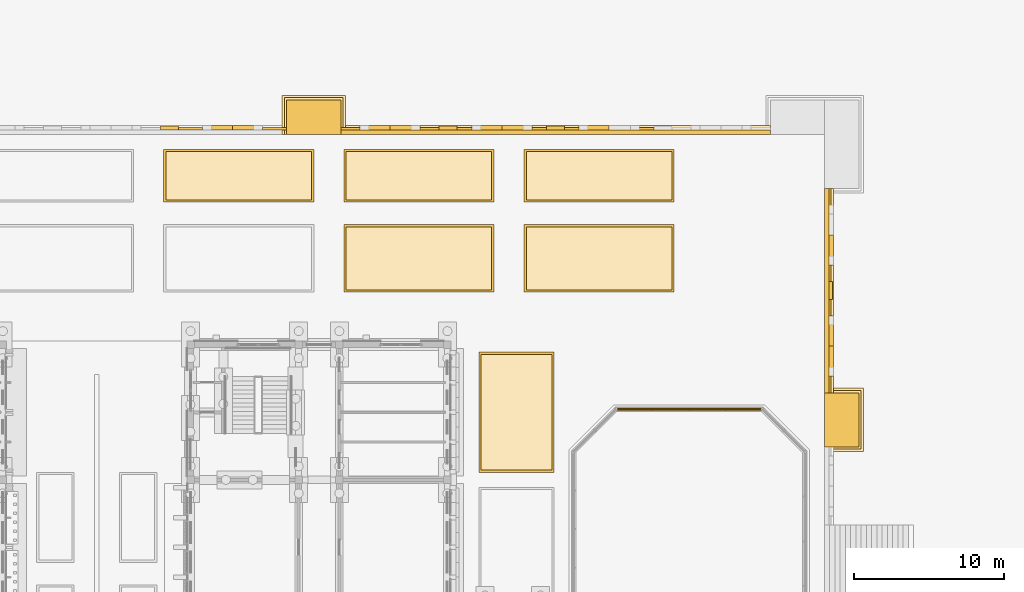
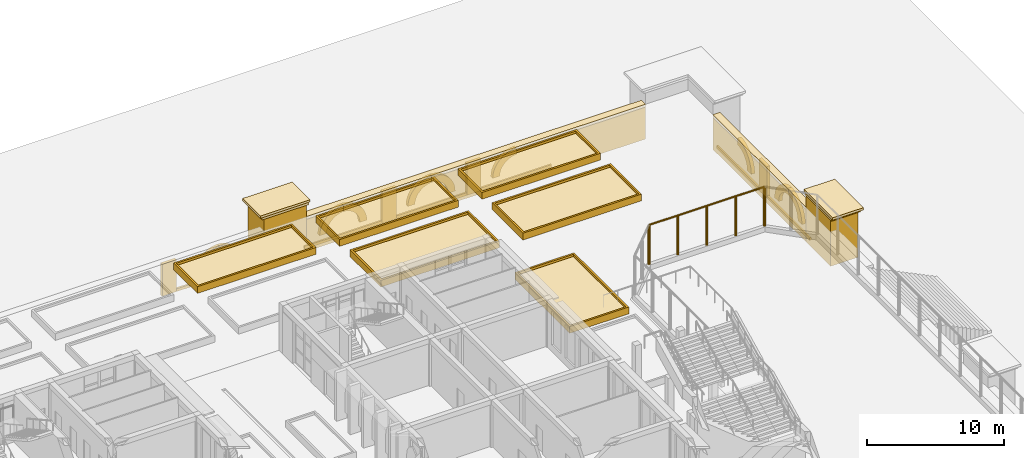
# One storey, part 146 of 161: 42 coverings, 1 railing.
"""IFC4 building model written with IfcOpenShell, lengths in metres."""

from ifc_helpers import new_model, si_unit, direction, frame, origin, origin_2d, place, context, subcontext, project, spatial, polyline, circle, outline, extrude, material, layer, layer_set, type_object, element, save


model = new_model("IFC4")

# Units and contexts
model_context = context("Model", 3, precision=1e-05, world=origin(), true_north=direction((0.0, 1.0)))
body_context = subcontext(model_context, "Body", "Model", "MODEL_VIEW")
ifc_project = project(units=[si_unit("LENGTHUNIT", "METRE"), si_unit("AREAUNIT", "SQUARE_METRE"), si_unit("VOLUMEUNIT", "CUBIC_METRE"), si_unit("PLANEANGLEUNIT", "RADIAN"), si_unit("MASSUNIT", "GRAM", prefix="KILO")], contexts=[model_context])

# Site, building, storey
site_placement = place(None, origin())
site = spatial("IfcSite", under=ifc_project, at=site_placement, CompositionType="ELEMENT")
building_placement = place(site_placement, origin())
building = spatial("IfcBuilding", under=site, at=building_placement, Name="Elbe Cascade School", CompositionType="ELEMENT")
storey_placement = place(building_placement, origin())
storey = spatial("IfcBuildingStorey", under=building, at=storey_placement, Name="L00", CompositionType="ELEMENT", Elevation=0.0)

# Railing
ifc_material_1 = material(Name="Steel S355J2H", Category="steel")
railing_type = type_object("IfcRailingType", Name="Ball-stop fence 4000", PredefinedType="USERDEFINED", material=ifc_material_1)
railing_placement = place(storey_placement, frame((195.875732421875, 55.699951171875, 0.449951171875)))
element("IfcRailing", 1, at=railing_placement, inside=storey, type_object=railing_type, Name="Ball-stop fence north", ObjectType="BALL-STOP FENCE", PredefinedType="USERDEFINED", context=body_context, shape_type="SweptSolid", body=[
    extrude(circle(Radius=0.06982421875, at=origin_2d()), frame((0.0, 0.0, 3.47998046875), z_axis=(-1.0, 0.0, 0.0), x_axis=(0.0, -1.0, 0.0)), (0.0, 0.0, 1.0), 9.75146484375),
    extrude(circle(Radius=0.10009765625, at=origin_2d()), origin(), (0.0, 0.0, 1.0), 3.41015625),
    extrude(circle(Radius=0.10009765625, at=origin_2d()), frame((-2.43798828125, 0.0, 0.0)), (0.0, 0.0, 1.0), 3.41015625),
    extrude(circle(Radius=0.10009765625, at=origin_2d()), frame((-4.875732421875, 0.0, 0.0)), (0.0, 0.0, 1.0), 3.41015625),
    extrude(circle(Radius=0.10009765625, at=origin_2d()), frame((-7.3134765625, 0.0, 0.0)), (0.0, 0.0, 1.0), 3.41015625),
    extrude(circle(Radius=0.10009765625, at=origin_2d()), frame((-9.75146484375, 0.0, 0.0)), (0.0, 0.0, 1.0), 3.41015625),
])

# Coverings
ifc_material_2 = material(Name="Sandstone - red", Category="masonry")
ifc_layer_1 = layer(ifc_material_2, 0.199951171875)
ifc_layer_set_1 = layer_set([ifc_layer_1], Name="Sandstone - red")
covering_type_1 = type_object("IfcCoveringType", Name="Bastion coping course 200", PredefinedType="CLADDING", material=ifc_layer_set_1)
covering_1_placement = place(storey_placement, frame((0.0, 0.0, 1.0)))
element("IfcCovering", 2, at=covering_1_placement, inside=storey, type_object=covering_type_1, Name="Bastion coping course 1 E2", PredefinedType="CLADDING", context=body_context, shape_type="SweptSolid", body=[
    extrude(outline(polyline([(202.449951171875, 53.050048828125), (202.449951171875, 56.949951171875), (200.0, 56.949951171875), (200.0, 53.050048828125), (202.449951171875, 53.050048828125)])), origin(), (0.0, 0.0, 1.0), 0.199951171875),
])
covering_2_placement = place(storey_placement, frame((0.0, 0.0, 1.199951171875)))
element("IfcCovering", 3, at=covering_2_placement, inside=storey, type_object=covering_type_1, Name="Bastion coping course 2 E2", PredefinedType="CLADDING", context=body_context, shape_type="SweptSolid", body=[
    extrude(outline(polyline([(202.60009765625, 52.89990234375), (202.60009765625, 57.10009765625), (200.0, 57.10009765625), (200.0, 52.89990234375), (202.60009765625, 52.89990234375)])), origin(), (0.0, 0.0, 1.0), 0.199951171875),
])
covering_3_placement = place(storey_placement, frame((0.0, 0.0, 1.0)))
element("IfcCovering", 4, at=covering_3_placement, inside=storey, type_object=covering_type_1, Name="Bastion coping course 1 N3", PredefinedType="CLADDING", context=body_context, shape_type="SweptSolid", body=[
    extrude(outline(polyline([(164.050048828125, 74.0), (167.949951171875, 74.0), (167.949951171875, 76.449951171875), (164.050048828125, 76.449951171875), (164.050048828125, 74.0)])), origin(), (0.0, 0.0, 1.0), 0.199951171875),
])
covering_4_placement = place(storey_placement, frame((0.0, 0.0, 1.199951171875)))
element("IfcCovering", 5, at=covering_4_placement, inside=storey, type_object=covering_type_1, Name="Bastion coping course 2 N3", PredefinedType="CLADDING", context=body_context, shape_type="SweptSolid", body=[
    extrude(outline(polyline([(163.89990234375, 74.0), (168.10009765625, 74.0), (168.10009765625, 76.60009765625), (163.89990234375, 76.60009765625), (163.89990234375, 74.0)])), origin(), (0.0, 0.0, 1.0), 0.199951171875),
])
ifc_material_3 = material(Name="Sandstone - red", Category="masonry")
ifc_layer_2 = layer(ifc_material_3, 0.14990234375)
ifc_layer_set_2 = layer_set([ifc_layer_2], Name="Sandstone - red")
covering_type_2 = type_object("IfcCoveringType", Name="Plinth base course 150x250", PredefinedType="CLADDING", material=ifc_layer_set_2)
covering_5_placement = place(storey_placement, frame((0.0, 0.0, -3.10009765625)))
element("IfcCovering", 6, at=covering_5_placement, inside=storey, type_object=covering_type_2, Name="Plinth base course east 0.5.1", PredefinedType="CLADDING", context=body_context, shape_type="SweptSolid", body=[
    extrude(outline(polyline([(200.300048828125, 56.800048828125), (200.449951171875, 56.800048828125), (200.449951171875, 63.0), (200.300048828125, 63.0), (200.300048828125, 56.800048828125)])), origin(), (0.0, 0.0, 1.0), 0.25),
])
covering_6_placement = place(storey_placement, frame((0.0, 0.0, -3.10009765625)))
element("IfcCovering", 7, at=covering_6_placement, inside=storey, type_object=covering_type_2, Name="Plinth base course east 0.5.2", PredefinedType="CLADDING", context=body_context, shape_type="SweptSolid", body=[
    extrude(outline(polyline([(200.300048828125, 64.199951171875), (200.449951171875, 64.199951171875), (200.449951171875, 70.39990234375), (200.300048828125, 70.39990234375), (200.300048828125, 64.199951171875)])), origin(), (0.0, 0.0, 1.0), 0.25),
])
covering_7_placement = place(storey_placement, frame((0.0, 0.0, -3.10009765625)))
element("IfcCovering", 8, at=covering_7_placement, inside=storey, type_object=covering_type_2, Name="Plinth base course north 0.3.8", PredefinedType="CLADDING", context=body_context, shape_type="SweptSolid", body=[
    extrude(outline(polyline([(157.0, 74.300048828125), (164.199951171875, 74.300048828125), (164.199951171875, 74.449951171875), (157.0, 74.449951171875), (157.0, 74.300048828125)])), origin(), (0.0, 0.0, 1.0), 0.25),
])
covering_8_placement = place(storey_placement, frame((0.0, 0.0, -3.10009765625)))
element("IfcCovering", 9, at=covering_8_placement, inside=storey, type_object=covering_type_2, Name="Plinth base course north 0.4.1", PredefinedType="CLADDING", context=body_context, shape_type="SweptSolid", body=[
    extrude(outline(polyline([(167.800048828125, 74.300048828125), (174.35009765625, 74.300048828125), (174.35009765625, 74.449951171875), (167.800048828125, 74.449951171875), (167.800048828125, 74.300048828125)])), origin(), (0.0, 0.0, 1.0), 0.25),
])
covering_9_placement = place(storey_placement, frame((0.0, 0.0, -3.10009765625)))
element("IfcCovering", 10, at=covering_9_placement, inside=storey, type_object=covering_type_2, Name="Plinth base course north 0.4.2", PredefinedType="CLADDING", context=body_context, shape_type="SweptSolid", body=[
    extrude(outline(polyline([(175.550048828125, 74.300048828125), (181.5, 74.300048828125), (181.5, 74.449951171875), (175.550048828125, 74.449951171875), (175.550048828125, 74.300048828125)])), origin(), (0.0, 0.0, 1.0), 0.25),
])
covering_10_placement = place(storey_placement, frame((0.0, 0.0, -3.10009765625)))
element("IfcCovering", 11, at=covering_10_placement, inside=storey, type_object=covering_type_2, Name="Plinth base course north 0.4.3", PredefinedType="CLADDING", context=body_context, shape_type="SweptSolid", body=[
    extrude(outline(polyline([(182.699951171875, 74.300048828125), (188.64990234375, 74.300048828125), (188.64990234375, 74.449951171875), (182.699951171875, 74.449951171875), (182.699951171875, 74.300048828125)])), origin(), (0.0, 0.0, 1.0), 0.25),
])
ifc_material_4 = material(Name="Sandstone - red", Category="masonry")
ifc_layer_3 = layer(ifc_material_4, 2.300048828125)
ifc_layer_set_3 = layer_set([ifc_layer_3], Name="Sandstone - red")
covering_type_3 = type_object("IfcCoveringType", Name="Plinth bastion 3600x2300", PredefinedType="CLADDING", material=ifc_layer_set_3)
covering_11_placement = place(storey_placement, frame((0.0, 0.0, -3.10009765625)))
element("IfcCovering", 12, at=covering_11_placement, inside=storey, type_object=covering_type_3, Name="Plinth bastion E2 1", PredefinedType="CLADDING", context=body_context, shape_type="SweptSolid", body=[
    extrude(outline(polyline([(200.0, 53.199951171875), (202.300048828125, 53.199951171875), (202.300048828125, 56.800048828125), (200.0, 56.800048828125), (200.0, 53.199951171875)])), origin(), (0.0, 0.0, 1.0), 4.10009765625),
])
covering_12_placement = place(storey_placement, frame((0.0, 0.0, -3.10009765625)))
element("IfcCovering", 13, at=covering_12_placement, inside=storey, type_object=covering_type_3, Name="Plinth bastion N3 1", PredefinedType="CLADDING", context=body_context, shape_type="SweptSolid", body=[
    extrude(outline(polyline([(164.199951171875, 74.0), (167.800048828125, 74.0), (167.800048828125, 76.300048828125), (164.199951171875, 76.300048828125), (164.199951171875, 74.0)])), origin(), (0.0, 0.0, 1.0), 4.10009765625),
])
ifc_material_5 = material(Name="Sandstone - red", Category="masonry")
ifc_layer_4 = layer(ifc_material_5, 0.25)
ifc_layer_set_4 = layer_set([ifc_layer_4], Name="Sandstone - red")
covering_type_4 = type_object("IfcCoveringType", Name="Plinth coping 600x250", PredefinedType="CLADDING", material=ifc_layer_set_4)
covering_13_placement = place(storey_placement, frame((0.0, 0.0, -0.25)))
element("IfcCovering", 14, at=covering_13_placement, inside=storey, type_object=covering_type_4, Name="Plinth coping east 5", PredefinedType="CLADDING", context=body_context, shape_type="SweptSolid", body=[
    extrude(outline(polyline([(200.0, 56.800048828125), (200.60009765625, 56.800048828125), (200.60009765625, 70.39990234375), (200.0, 70.39990234375), (200.0, 56.800048828125)])), origin(), (0.0, 0.0, 1.0), 0.25),
])
covering_14_placement = place(storey_placement, frame((0.0, 0.0, -0.25)))
element("IfcCovering", 15, at=covering_14_placement, inside=storey, type_object=covering_type_4, Name="Plinth coping north 4", PredefinedType="CLADDING", context=body_context, shape_type="SweptSolid", body=[
    extrude(outline(polyline([(167.800048828125, 74.0), (196.39990234375, 74.0), (196.39990234375, 74.60009765625), (167.800048828125, 74.60009765625), (167.800048828125, 74.0)])), origin(), (0.0, 0.0, 1.0), 0.25),
])
ifc_material_6 = material(Name="Sandstone - red", Category="masonry")
ifc_layer_5 = layer(ifc_material_6, 0.300048828125)
ifc_layer_set_5 = layer_set([ifc_layer_5], Name="Sandstone - red")
covering_type_5 = type_object("IfcCoveringType", Name="Plinth facing 300", PredefinedType="CLADDING", material=ifc_layer_set_5)
covering_15_placement = place(storey_placement, frame((0.0, 0.0, -3.10009765625)))
element("IfcCovering", 16, at=covering_15_placement, inside=storey, type_object=covering_type_5, Name="Plinth facing east 5", PredefinedType="CLADDING", context=body_context, shape_type="SweptSolid", body=[
    extrude(outline(polyline([(200.0, 56.800048828125), (200.300048828125, 56.800048828125), (200.300048828125, 70.39990234375), (200.0, 70.39990234375), (200.0, 56.800048828125)])), origin(), (0.0, 0.0, 1.0), 2.85009765625),
])
covering_16_placement = place(storey_placement, frame((0.0, 0.0, -3.10009765625)))
element("IfcCovering", 17, at=covering_16_placement, inside=storey, type_object=covering_type_5, Name="Plinth facing north 4", PredefinedType="CLADDING", context=body_context, shape_type="SweptSolid", body=[
    extrude(outline(polyline([(167.800048828125, 74.0), (196.39990234375, 74.0), (196.39990234375, 74.300048828125), (167.800048828125, 74.300048828125), (167.800048828125, 74.0)])), origin(), (0.0, 0.0, 1.0), 2.85009765625),
])
ifc_material_7 = material(Name="Sandstone - red", Category="masonry")
ifc_layer_6 = layer(ifc_material_7, 0.300048828125)
ifc_layer_set_6 = layer_set([ifc_layer_6], Name="Sandstone - red")
covering_type_6 = type_object("IfcCoveringType", Name="Plinth niche arch band 600x300", PredefinedType="CLADDING", material=ifc_layer_set_6)
covering_17_placement = place(storey_placement, frame((200.60009765625, 57.89990234375, -2.35009765625), z_axis=(1.0, 0.0, 0.0), x_axis=(0.0, 1.0, 0.0)))
element("IfcCovering", 18, at=covering_17_placement, inside=storey, type_object=covering_type_6, Name="Plinth niche arch band east 0.5.1a", PredefinedType="CLADDING", context=body_context, shape_type="SweptSolid", body=[
    extrude(outline(polyline([(0.0, 0.0), (0.60009765625, 0.0), (0.6171875, 0.221923828125), (0.66796875, 0.438720703125), (0.75146484375, 0.64501953125), (0.865234375, 0.83642578125), (1.007080078125, 1.0078125), (1.173583984375, 1.15576171875), (1.36083984375, 1.2763671875), (1.564208984375, 1.366943359375), (1.77880859375, 1.42529296875), (2.0, 1.4501953125), (2.0, 2.05029296875), (1.68505859375, 2.01806640625), (1.378662109375, 1.9375), (1.08837890625, 1.81103515625), (0.82080078125, 1.64111328125), (0.5830078125, 1.43212890625), (0.3798828125, 1.189208984375), (0.216796875, 0.91748046875), (0.097412109375, 0.624267578125), (0.024658203125, 0.31591796875), (0.0, 0.0)])), origin(), (0.0, 0.0, -1.0), 0.300048828125),
])
covering_18_placement = place(storey_placement, frame((200.60009765625, 61.87548828125, -2.0341796875), z_axis=(1.0, 0.0, 0.0), x_axis=(0.0, -0.229640615433, 0.973275494268)))
element("IfcCovering", 19, at=covering_18_placement, inside=storey, type_object=covering_type_6, Name="Plinth niche arch band east 0.5.1b", PredefinedType="CLADDING", context=body_context, shape_type="SweptSolid", body=[
    extrude(outline(polyline([(0.0, 0.0), (0.31681637027835047, 0.0), (0.6296088823787412, 0.04886067811575373), (0.9315267427864806, 0.14518832098545423), (1.2146004998268738, 0.2871006253983999), (1.4726628589921735, 0.4707850101886869), (1.699434396567878, 0.6919536620154754), (1.8891803432917578, 0.9454377254653902), (2.037954729394572, 1.2251445961231031), (2.1416994559003246, 1.5245064373983495), (1.5576391129042635, 1.662313232499558), (1.4826077413227772, 1.4527516467981305), (1.3764806454459984, 1.2570489300335477), (1.2416232623821883, 1.0799146970257483), (1.081295428986102, 0.9255966880936953), (0.8990640204772993, 0.7975176660871937), (0.6996279279093016, 0.6985824547516934), (0.4872108101606949, 0.6318080070394001), (0.26725112189532263, 0.5979178949791348), (0.04458659872137888, 0.5982791165847868), (-0.17533094702333402, 0.6326087149319284), (-0.3130816775211652, 0.04878598802333507), (0.0, 0.0)])), origin(), (0.0, 0.0, -1.0), 0.300048828125),
])
covering_19_placement = place(storey_placement, frame((200.60009765625, 65.300048828125, -2.35009765625), z_axis=(1.0, 0.0, 0.0), x_axis=(0.0, 1.0, 0.0)))
element("IfcCovering", 20, at=covering_19_placement, inside=storey, type_object=covering_type_6, Name="Plinth niche arch band east 0.5.2a", PredefinedType="CLADDING", context=body_context, shape_type="SweptSolid", body=[
    extrude(outline(polyline([(0.0, 0.0), (0.599853515625, 0.0), (0.616943359375, 0.221923828125), (0.66796875, 0.438720703125), (0.751220703125, 0.64501953125), (0.865234375, 0.83642578125), (1.007080078125, 1.0078125), (1.173583984375, 1.15576171875), (1.360595703125, 1.2763671875), (1.56396484375, 1.366943359375), (1.77880859375, 1.42529296875), (2.0, 1.4501953125), (2.0, 2.05029296875), (1.684814453125, 2.01806640625), (1.37841796875, 1.9375), (1.088134765625, 1.81103515625), (0.82080078125, 1.64111328125), (0.582763671875, 1.43212890625), (0.379638671875, 1.189208984375), (0.216552734375, 0.91748046875), (0.09716796875, 0.624267578125), (0.0244140625, 0.31591796875), (0.0, 0.0)])), origin(), (0.0, 0.0, -1.0), 0.300048828125),
])
covering_20_placement = place(storey_placement, frame((162.60009765625, 74.60009765625, -2.35009765625), z_axis=(0.0, 1.0, 0.0), x_axis=(-1.0, 0.0, 0.0)))
element("IfcCovering", 21, at=covering_20_placement, inside=storey, type_object=covering_type_6, Name="Plinth niche arch band north 0.3.8a", PredefinedType="CLADDING", context=body_context, shape_type="SweptSolid", body=[
    extrude(outline(polyline([(0.0, 0.0), (0.60009765625, 0.0), (0.6171875, 0.221923828125), (0.66796875, 0.438720703125), (0.75146484375, 0.64501953125), (0.865234375, 0.83642578125), (1.007080078125, 1.0078125), (1.173583984375, 1.15576171875), (1.36083984375, 1.2763671875), (1.564208984375, 1.366943359375), (1.77880859375, 1.42529296875), (2.0, 1.4501953125), (2.0, 2.05029296875), (1.68505859375, 2.01806640625), (1.378662109375, 1.9375), (1.08837890625, 1.81103515625), (0.82080078125, 1.64111328125), (0.5830078125, 1.43212890625), (0.3798828125, 1.189208984375), (0.216796875, 0.91748046875), (0.097412109375, 0.624267578125), (0.024658203125, 0.31591796875), (0.0, 0.0)])), origin(), (0.0, 0.0, -1.0), 0.300048828125),
])
covering_21_placement = place(storey_placement, frame((158.62451171875, 74.60009765625, -2.0341796875), z_axis=(0.0, 1.0, 0.0), x_axis=(0.229640615433, 0.0, 0.973275494268)))
element("IfcCovering", 22, at=covering_21_placement, inside=storey, type_object=covering_type_6, Name="Plinth niche arch band north 0.3.8b", PredefinedType="CLADDING", context=body_context, shape_type="SweptSolid", body=[
    extrude(outline(polyline([(0.0, 0.0), (0.31681637027835047, 0.0), (0.6296088823787412, 0.04886067811575373), (0.9315267427864806, 0.14518832098545423), (1.2146004998268738, 0.2871006253983999), (1.4726628589921735, 0.4707850101886869), (1.699434396567878, 0.6919536620154754), (1.8891803432917578, 0.9454377254653902), (2.037954729394572, 1.2251445961231031), (2.1416994559003246, 1.5245064373983495), (1.5576391129042635, 1.662313232499558), (1.4826077413227772, 1.4527516467981305), (1.3764806454459984, 1.2570489300335477), (1.2416232623821883, 1.0799146970257483), (1.081295428986102, 0.9255966880936953), (0.8990640204772993, 0.7975176660871937), (0.6996279279093016, 0.6985824547516934), (0.4872108101606949, 0.6318080070394001), (0.26725112189532263, 0.5979178949791348), (0.04458659872137888, 0.5982791165847868), (-0.17533094702333402, 0.6326087149319284), (-0.3130816775211652, 0.04878598802333507), (0.0, 0.0)])), origin(), (0.0, 0.0, -1.0), 0.300048828125),
])
covering_22_placement = place(storey_placement, frame((173.074951171875, 74.60009765625, -2.35009765625), z_axis=(0.0, 1.0, 0.0), x_axis=(-1.0, 0.0, 0.0)))
element("IfcCovering", 23, at=covering_22_placement, inside=storey, type_object=covering_type_6, Name="Plinth niche arch band north 0.4.1a", PredefinedType="CLADDING", context=body_context, shape_type="SweptSolid", body=[
    extrude(outline(polyline([(0.0, 0.0), (0.599853515625, 0.0), (0.616943359375, 0.221923828125), (0.66796875, 0.438720703125), (0.751220703125, 0.64501953125), (0.865234375, 0.83642578125), (1.007080078125, 1.0078125), (1.173583984375, 1.15576171875), (1.360595703125, 1.2763671875), (1.56396484375, 1.366943359375), (1.77880859375, 1.42529296875), (2.0, 1.4501953125), (2.0, 2.05029296875), (1.684814453125, 2.01806640625), (1.37841796875, 1.9375), (1.088134765625, 1.81103515625), (0.82080078125, 1.64111328125), (0.582763671875, 1.43212890625), (0.379638671875, 1.189208984375), (0.216552734375, 0.91748046875), (0.09716796875, 0.624267578125), (0.0244140625, 0.31591796875), (0.0, 0.0)])), origin(), (0.0, 0.0, -1.0), 0.300048828125),
])
covering_23_placement = place(storey_placement, frame((169.099609375, 74.60009765625, -2.0341796875), z_axis=(0.0, 1.0, 0.0), x_axis=(0.229640615433, 0.0, 0.973275494268)))
element("IfcCovering", 24, at=covering_23_placement, inside=storey, type_object=covering_type_6, Name="Plinth niche arch band north 0.4.1b", PredefinedType="CLADDING", context=body_context, shape_type="SweptSolid", body=[
    extrude(outline(polyline([(0.0, 0.0), (0.31681637027835047, 0.0), (0.6296088823787412, 0.04886067811575373), (0.9315267427864806, 0.14518832098545423), (1.2145444352234966, 0.28686300931093206), (1.4726067943887962, 0.47054739410121904), (1.6993783319645008, 0.6917160459280074), (1.8891803432917578, 0.9454377254653902), (2.037954729394572, 1.2251445961231031), (2.1416433912969475, 1.5242688213108815), (1.5575830483008861, 1.66207561641209), (1.4825516767193998, 1.4525140307106628), (1.3764245808426212, 1.2568113139460797), (1.2416232623821883, 1.0799146970257483), (1.0812393643827247, 0.9253590720062276), (0.899007955873922, 0.7972800499997257), (0.6996279279093016, 0.6985824547516934), (0.4872108101606949, 0.6318080070394001), (0.26725112189532263, 0.5979178949791348), (0.04458659872137888, 0.5982791165847868), (-0.17533094702333402, 0.6326087149319284), (-0.3131377421245425, 0.04854837193586718), (0.0, 0.0)])), origin(), (0.0, 0.0, -1.0), 0.300048828125),
])
covering_24_placement = place(storey_placement, frame((180.52490234375, 74.60009765625, -2.35009765625), z_axis=(0.0, 1.0, 0.0), x_axis=(-1.0, 0.0, 0.0)))
element("IfcCovering", 25, at=covering_24_placement, inside=storey, type_object=covering_type_6, Name="Plinth niche arch band north 0.4.2a", PredefinedType="CLADDING", context=body_context, shape_type="SweptSolid", body=[
    extrude(outline(polyline([(0.0, 0.0), (0.599853515625, 0.0), (0.616943359375, 0.221923828125), (0.667724609375, 0.438720703125), (0.751220703125, 0.64501953125), (0.864990234375, 0.83642578125), (1.007080078125, 1.0078125), (1.173583984375, 1.15576171875), (1.360595703125, 1.2763671875), (1.56396484375, 1.366943359375), (1.77880859375, 1.42529296875), (2.0, 1.4501953125), (2.0, 2.05029296875), (1.684814453125, 2.01806640625), (1.37841796875, 1.9375), (1.088134765625, 1.81103515625), (0.82080078125, 1.64111328125), (0.582763671875, 1.43212890625), (0.379638671875, 1.189208984375), (0.216552734375, 0.91748046875), (0.09716796875, 0.624267578125), (0.0244140625, 0.31591796875), (0.0, 0.0)])), origin(), (0.0, 0.0, -1.0), 0.300048828125),
])
covering_25_placement = place(storey_placement, frame((176.549560546875, 74.60009765625, -2.0341796875), z_axis=(0.0, 1.0, 0.0), x_axis=(0.229640615433, 0.0, 0.973275494268)))
element("IfcCovering", 26, at=covering_25_placement, inside=storey, type_object=covering_type_6, Name="Plinth niche arch band north 0.4.2b", PredefinedType="CLADDING", context=body_context, shape_type="SweptSolid", body=[
    extrude(outline(polyline([(0.0, 0.0), (0.31681637027835047, 0.0), (0.6296088823787412, 0.04886067811575373), (0.9315267427864806, 0.14518832098545423), (1.2146004998268738, 0.2871006253983999), (1.4726067943887962, 0.47054739410121904), (1.699434396567878, 0.6919536620154754), (1.8891803432917578, 0.9454377254653902), (2.037954729394572, 1.2251445961231031), (2.1416433912969475, 1.5242688213108815), (1.5575830483008861, 1.66207561641209), (1.4825516767193998, 1.4525140307106628), (1.3764806454459984, 1.2570489300335477), (1.2416232623821883, 1.0799146970257483), (1.0812393643827247, 0.9253590720062276), (0.899007955873922, 0.7972800499997257), (0.6996279279093016, 0.6985824547516934), (0.4872108101606949, 0.6318080070394001), (0.26725112189532263, 0.5979178949791348), (0.04458659872137888, 0.5982791165847868), (-0.17533094702333402, 0.6326087149319284), (-0.3131377421245425, 0.04854837193586718), (0.0, 0.0)])), origin(), (0.0, 0.0, -1.0), 0.300048828125),
])
covering_26_placement = place(storey_placement, frame((183.699462890625, 74.60009765625, -2.0341796875), z_axis=(0.0, 1.0, 0.0), x_axis=(0.229640615433, 0.0, 0.973275494268)))
element("IfcCovering", 27, at=covering_26_placement, inside=storey, type_object=covering_type_6, Name="Plinth niche arch band north 0.4.3b", PredefinedType="CLADDING", context=body_context, shape_type="SweptSolid", body=[
    extrude(outline(polyline([(0.0, 0.0), (0.31681637027835047, 0.0), (0.6296088823787412, 0.04886067811575373), (0.9315267427864806, 0.14518832098545423), (1.2146004998268738, 0.2871006253983999), (1.4726628589921735, 0.4707850101886869), (1.699434396567878, 0.6919536620154754), (1.8891803432917578, 0.9454377254653902), (2.037954729394572, 1.2251445961231031), (2.1416994559003246, 1.5245064373983495), (1.5576391129042635, 1.662313232499558), (1.4826077413227772, 1.4527516467981305), (1.3764806454459984, 1.2570489300335477), (1.2416232623821883, 1.0799146970257483), (1.081295428986102, 0.9255966880936953), (0.8990640204772993, 0.7975176660871937), (0.6996839925126788, 0.6988200708391613), (0.4872108101606949, 0.6318080070394001), (0.2673071864986999, 0.5981555110666027), (0.04458659872137888, 0.5982791165847868), (-0.17533094702333402, 0.6326087149319284), (-0.3130816775211652, 0.04878598802333507), (0.0, 0.0)])), origin(), (0.0, 0.0, -1.0), 0.300048828125),
])
ifc_material_8 = material(Name="Sandstone - red", Category="masonry")
ifc_layer_7 = layer(ifc_material_8, 0.25)
ifc_layer_set_7 = layer_set([ifc_layer_7], Name="Sandstone - red")
covering_type_7 = type_object("IfcCoveringType", Name="Plinth pilaster 1200x250", PredefinedType="CLADDING", material=ifc_layer_set_7)
covering_27_placement = place(storey_placement, frame((0.0, 0.0, -3.10009765625)))
element("IfcCovering", 28, at=covering_27_placement, inside=storey, type_object=covering_type_7, Name="Plinth pilaster east 0.5.1", PredefinedType="CLADDING", context=body_context, shape_type="SweptSolid", body=[
    extrude(outline(polyline([(200.300048828125, 63.0), (200.550048828125, 63.0), (200.550048828125, 64.199951171875), (200.300048828125, 64.199951171875), (200.300048828125, 63.0)])), origin(), (0.0, 0.0, 1.0), 2.85009765625),
])
covering_28_placement = place(storey_placement, frame((0.0, 0.0, -3.10009765625)))
element("IfcCovering", 29, at=covering_28_placement, inside=storey, type_object=covering_type_7, Name="Plinth pilaster north 0.3.7", PredefinedType="CLADDING", context=body_context, shape_type="SweptSolid", body=[
    extrude(outline(polyline([(155.800048828125, 74.300048828125), (157.0, 74.300048828125), (157.0, 74.550048828125), (155.800048828125, 74.550048828125), (155.800048828125, 74.300048828125)])), origin(), (0.0, 0.0, 1.0), 2.85009765625),
])
covering_29_placement = place(storey_placement, frame((0.0, 0.0, -3.10009765625)))
element("IfcCovering", 30, at=covering_29_placement, inside=storey, type_object=covering_type_7, Name="Plinth pilaster north 0.4.1", PredefinedType="CLADDING", context=body_context, shape_type="SweptSolid", body=[
    extrude(outline(polyline([(174.35009765625, 74.300048828125), (175.550048828125, 74.300048828125), (175.550048828125, 74.550048828125), (174.35009765625, 74.550048828125), (174.35009765625, 74.300048828125)])), origin(), (0.0, 0.0, 1.0), 2.85009765625),
])
covering_30_placement = place(storey_placement, frame((0.0, 0.0, -3.10009765625)))
element("IfcCovering", 31, at=covering_30_placement, inside=storey, type_object=covering_type_7, Name="Plinth pilaster north 0.4.2", PredefinedType="CLADDING", context=body_context, shape_type="SweptSolid", body=[
    extrude(outline(polyline([(181.5, 74.300048828125), (182.699951171875, 74.300048828125), (182.699951171875, 74.550048828125), (181.5, 74.550048828125), (181.5, 74.300048828125)])), origin(), (0.0, 0.0, 1.0), 2.85009765625),
])
ifc_material_9 = material(Name="Planting - soil and shrubs", Category="soil")
ifc_layer_8 = layer(ifc_material_9, 0.39990234375)
ifc_layer_set_8 = layer_set([ifc_layer_8], Name="Planting - soil and shrubs")
covering_type_8 = type_object("IfcCoveringType", Name="Site planting bed 400", PredefinedType="USERDEFINED", material=ifc_layer_set_8)
covering_31_placement = place(storey_placement, origin())
element("IfcCovering", 32, at=covering_31_placement, inside=storey, type_object=covering_type_8, Name="Deck planting bed north b.8", ObjectType="PLANTING BED", PredefinedType="USERDEFINED", context=body_context, shape_type="SweptSolid", body=[
    extrude(outline(polyline([(156.14990234375, 69.64990234375), (165.85009765625, 69.64990234375), (165.85009765625, 72.85009765625), (156.14990234375, 72.85009765625), (156.14990234375, 69.64990234375)])), origin(), (0.0, 0.0, 1.0), 0.39990234375),
])
covering_32_placement = place(storey_placement, origin())
element("IfcCovering", 33, at=covering_32_placement, inside=storey, type_object=covering_type_8, Name="Deck planting bed north a.9", ObjectType="PLANTING BED", PredefinedType="USERDEFINED", context=body_context, shape_type="SweptSolid", body=[
    extrude(outline(polyline([(168.14990234375, 63.64990234375), (177.85009765625, 63.64990234375), (177.85009765625, 67.85009765625), (168.14990234375, 67.85009765625), (168.14990234375, 63.64990234375)])), origin(), (0.0, 0.0, 1.0), 0.39990234375),
])
covering_33_placement = place(storey_placement, origin())
element("IfcCovering", 34, at=covering_33_placement, inside=storey, type_object=covering_type_8, Name="Deck planting bed north b.9", ObjectType="PLANTING BED", PredefinedType="USERDEFINED", context=body_context, shape_type="SweptSolid", body=[
    extrude(outline(polyline([(168.14990234375, 69.64990234375), (177.85009765625, 69.64990234375), (177.85009765625, 72.85009765625), (168.14990234375, 72.85009765625), (168.14990234375, 69.64990234375)])), origin(), (0.0, 0.0, 1.0), 0.39990234375),
])
covering_34_placement = place(storey_placement, origin())
element("IfcCovering", 35, at=covering_34_placement, inside=storey, type_object=covering_type_8, Name="Deck planting bed north a.10", ObjectType="PLANTING BED", PredefinedType="USERDEFINED", context=body_context, shape_type="SweptSolid", body=[
    extrude(outline(polyline([(180.14990234375, 63.64990234375), (189.85009765625, 63.64990234375), (189.85009765625, 67.85009765625), (180.14990234375, 67.85009765625), (180.14990234375, 63.64990234375)])), origin(), (0.0, 0.0, 1.0), 0.39990234375),
])
covering_35_placement = place(storey_placement, origin())
element("IfcCovering", 36, at=covering_35_placement, inside=storey, type_object=covering_type_8, Name="Deck planting bed north b.10", ObjectType="PLANTING BED", PredefinedType="USERDEFINED", context=body_context, shape_type="SweptSolid", body=[
    extrude(outline(polyline([(180.14990234375, 69.64990234375), (189.85009765625, 69.64990234375), (189.85009765625, 72.85009765625), (180.14990234375, 72.85009765625), (180.14990234375, 69.64990234375)])), origin(), (0.0, 0.0, 1.0), 0.39990234375),
])
covering_36_placement = place(storey_placement, origin())
element("IfcCovering", 37, at=covering_36_placement, inside=storey, type_object=covering_type_8, Name="Deck planting bed east.3", ObjectType="PLANTING BED", PredefinedType="USERDEFINED", context=body_context, shape_type="SweptSolid", body=[
    extrude(outline(polyline([(177.14990234375, 51.64990234375), (181.85009765625, 51.64990234375), (181.85009765625, 59.35009765625), (177.14990234375, 59.35009765625), (177.14990234375, 51.64990234375)])), origin(), (0.0, 0.0, 1.0), 0.39990234375),
])
ifc_material_10 = material(Name="Concrete C30/37 precast kerb", Category="concrete")
ifc_layer_9 = layer(ifc_material_10, 0.14990234375)
ifc_layer_set_9 = layer_set([ifc_layer_9], Name="Concrete C30/37 precast kerb")
covering_type_9 = type_object("IfcCoveringType", Name="Site planting bed kerb 150x600", PredefinedType="CLADDING", material=ifc_layer_set_9)
covering_37_placement = place(storey_placement, origin())
element("IfcCovering", 38, at=covering_37_placement, inside=storey, type_object=covering_type_9, Name="Deck planting bed kerb north b.8", PredefinedType="CLADDING", context=body_context, shape_type="SweptSolid", body=[
    extrude(outline(polyline([(156.0, 69.5), (166.0, 69.5), (166.0, 73.0), (156.0, 73.0), (156.0, 69.5)]), holes=[polyline([(156.14990234375, 69.64990234375), (165.85009765625, 69.64990234375), (165.85009765625, 72.85009765625), (156.14990234375, 72.85009765625), (156.14990234375, 69.64990234375)])]), origin(), (0.0, 0.0, 1.0), 0.60009765625),
])
covering_38_placement = place(storey_placement, origin())
element("IfcCovering", 39, at=covering_38_placement, inside=storey, type_object=covering_type_9, Name="Deck planting bed kerb north a.9", PredefinedType="CLADDING", context=body_context, shape_type="SweptSolid", body=[
    extrude(outline(polyline([(168.0, 63.5), (178.0, 63.5), (178.0, 68.0), (168.0, 68.0), (168.0, 63.5)]), holes=[polyline([(168.14990234375, 63.64990234375), (177.85009765625, 63.64990234375), (177.85009765625, 67.85009765625), (168.14990234375, 67.85009765625), (168.14990234375, 63.64990234375)])]), origin(), (0.0, 0.0, 1.0), 0.60009765625),
])
covering_39_placement = place(storey_placement, origin())
element("IfcCovering", 40, at=covering_39_placement, inside=storey, type_object=covering_type_9, Name="Deck planting bed kerb north b.9", PredefinedType="CLADDING", context=body_context, shape_type="SweptSolid", body=[
    extrude(outline(polyline([(168.0, 69.5), (178.0, 69.5), (178.0, 73.0), (168.0, 73.0), (168.0, 69.5)]), holes=[polyline([(168.14990234375, 69.64990234375), (177.85009765625, 69.64990234375), (177.85009765625, 72.85009765625), (168.14990234375, 72.85009765625), (168.14990234375, 69.64990234375)])]), origin(), (0.0, 0.0, 1.0), 0.60009765625),
])
covering_40_placement = place(storey_placement, origin())
element("IfcCovering", 41, at=covering_40_placement, inside=storey, type_object=covering_type_9, Name="Deck planting bed kerb north a.10", PredefinedType="CLADDING", context=body_context, shape_type="SweptSolid", body=[
    extrude(outline(polyline([(180.0, 63.5), (190.0, 63.5), (190.0, 68.0), (180.0, 68.0), (180.0, 63.5)]), holes=[polyline([(180.14990234375, 63.64990234375), (189.85009765625, 63.64990234375), (189.85009765625, 67.85009765625), (180.14990234375, 67.85009765625), (180.14990234375, 63.64990234375)])]), origin(), (0.0, 0.0, 1.0), 0.60009765625),
])
covering_41_placement = place(storey_placement, origin())
element("IfcCovering", 42, at=covering_41_placement, inside=storey, type_object=covering_type_9, Name="Deck planting bed kerb north b.10", PredefinedType="CLADDING", context=body_context, shape_type="SweptSolid", body=[
    extrude(outline(polyline([(180.0, 69.5), (190.0, 69.5), (190.0, 73.0), (180.0, 73.0), (180.0, 69.5)]), holes=[polyline([(180.14990234375, 69.64990234375), (189.85009765625, 69.64990234375), (189.85009765625, 72.85009765625), (180.14990234375, 72.85009765625), (180.14990234375, 69.64990234375)])]), origin(), (0.0, 0.0, 1.0), 0.60009765625),
])
covering_42_placement = place(storey_placement, origin())
element("IfcCovering", 43, at=covering_42_placement, inside=storey, type_object=covering_type_9, Name="Deck planting bed kerb east.3", PredefinedType="CLADDING", context=body_context, shape_type="SweptSolid", body=[
    extrude(outline(polyline([(177.0, 51.5), (182.0, 51.5), (182.0, 59.5), (177.0, 59.5), (177.0, 51.5)]), holes=[polyline([(177.14990234375, 51.64990234375), (181.85009765625, 51.64990234375), (181.85009765625, 59.35009765625), (177.14990234375, 59.35009765625), (177.14990234375, 51.64990234375)])]), origin(), (0.0, 0.0, 1.0), 0.60009765625),
])

save(model, "model.ifc")
